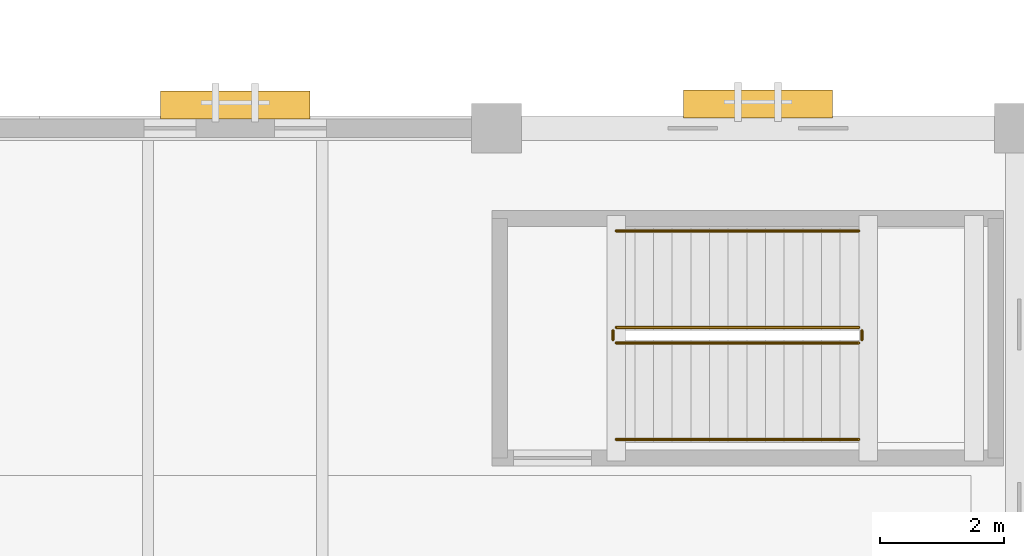
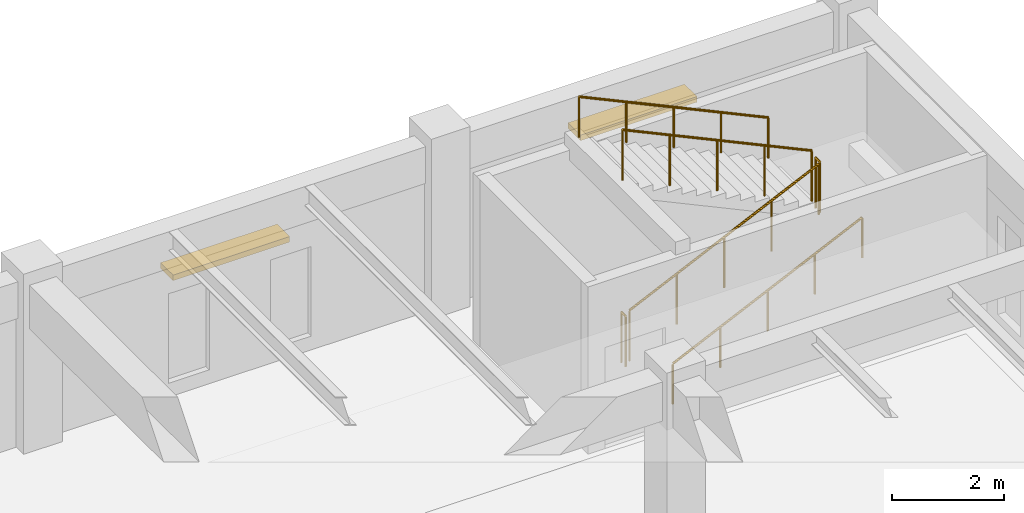
# One storey, part 135 of 135: 6 railings, 2 shading devices.
"""IFC4 building model written with IfcOpenShell, lengths in metres."""

from ifc_helpers import new_model, si_unit, direction, frame, origin, origin_2d, place, context, subcontext, project, spatial, rectangle, circle, extrude, material, type_object, element, save


model = new_model("IFC4")

# Units and contexts
model_context = context("Model", 3, precision=1e-05, world=origin(), true_north=direction((0.0, 1.0)))
body_context = subcontext(model_context, "Body", "Model", "MODEL_VIEW")
ifc_project = project(units=[si_unit("LENGTHUNIT", "METRE"), si_unit("AREAUNIT", "SQUARE_METRE"), si_unit("VOLUMEUNIT", "CUBIC_METRE"), si_unit("PLANEANGLEUNIT", "RADIAN"), si_unit("MASSUNIT", "GRAM", prefix="KILO")], contexts=[model_context])

# Site, building, storey
site_placement = place(None, origin())
site = spatial("IfcSite", under=ifc_project, at=site_placement, CompositionType="ELEMENT")
building_placement = place(site_placement, origin())
building = spatial("IfcBuilding", under=site, at=building_placement, Name="Cumbredor Promenade Congress Hotel", CompositionType="ELEMENT")
storey_placement = place(building_placement, origin())
storey = spatial("IfcBuildingStorey", under=building, at=storey_placement, Name="L00", CompositionType="ELEMENT", Elevation=0.0)

# Shading devices
ifc_material_1 = material(Name="Thermally broken anodized aluminium", Category="aluminium")
shading_device_type = type_object("IfcShadingDeviceType", Name="Horizontal Bronze Jalousie Louvre JAL-01", PredefinedType="JALOUSIE", material=ifc_material_1)
for number, where, z_axis, x_axis, name in (
    (1, (163.800048828125, 117.97509765625, 2.260009765625), (0.0, 0.0, 1.0), (1.0, 0.0, 0.0), "L00 Horizontal Bronze Jalousie 020"),
    (2, (172.199951171875, 117.987548828125, 2.35986328125), (0.0, 0.0, 1.0), (1.0, 0.0, 0.0), "L00 Horizontal Bronze Jalousie 021"),
):
    element("IfcShadingDevice", number, at=place(storey_placement, frame(where, z_axis=z_axis, x_axis=x_axis)), inside=storey, type_object=shading_device_type, Name=name, PredefinedType="JALOUSIE", context=body_context, shape_type="SweptSolid", body=[
        extrude(rectangle(XDim=2.39990234375, YDim=0.449951171875, at=origin_2d()), origin(), (0.0, 0.0, 1.0), 0.1201171875),
    ])

# Railings
ifc_material_2 = material(Name="Brushed stainless steel", Category="steel")
railing_type_1 = type_object("IfcRailingType", Name="Interior Void & Stair Guardrail GR-1100", PredefinedType="GUARDRAIL", material=ifc_material_2)
railing_1_placement = place(storey_placement, frame((169.919921875, 114.14990234375, 0.139892578125)))
element("IfcRailing", 3, at=railing_1_placement, inside=storey, type_object=railing_type_1, Name="L00 ST-16 stair guard 1", PredefinedType="GUARDRAIL", context=body_context, shape_type="SweptSolid", body=[
    extrude(circle(Radius=0.02392578125, at=origin_2d()), frame((0.0, 0.0, 1.09619140625), z_axis=(0.906183139995, 0.0, 0.422885465331), x_axis=(0.0, 1.0, 0.0)), (0.0, 0.0, 1.0), 4.303955078125),
    extrude(circle(Radius=0.02099609375, at=origin_2d()), origin(), (0.0, 0.0, 1.0), 1.072021484375),
    extrude(circle(Radius=0.02099609375, at=origin_2d()), frame((0.97509765625, 0.0, 0.455078125)), (0.0, 0.0, 1.0), 1.072021484375),
    extrude(circle(Radius=0.02099609375, at=origin_2d()), frame((1.9501953125, 0.0, 0.91015625)), (0.0, 0.0, 1.0), 1.072021484375),
    extrude(circle(Radius=0.02099609375, at=origin_2d()), frame((2.925048828125, 0.0, 1.364990234375)), (0.0, 0.0, 1.0), 1.072021484375),
    extrude(circle(Radius=0.02099609375, at=origin_2d()), frame((3.900146484375, 0.0, 1.820068359375)), (0.0, 0.0, 1.0), 1.072021484375),
])
railing_2_placement = place(storey_placement, frame((173.8701171875, 114.199951171875, 1.9599609375)))
element("IfcRailing", 4, at=railing_2_placement, inside=storey, type_object=railing_type_1, Name="L00 ST-16 stair guard 2", PredefinedType="GUARDRAIL", context=body_context, shape_type="SweptSolid", body=[
    extrude(circle(Radius=0.02392578125, at=origin_2d()), frame((0.0, 0.0, 1.09619140625), z_axis=(0.0, 1.0, 0.0), x_axis=(-1.0, 0.0, 0.0)), (0.0, 0.0, 1.0), 0.150146484375),
    extrude(circle(Radius=0.02099609375, at=origin_2d()), origin(), (0.0, 0.0, 1.0), 1.072021484375),
    extrude(circle(Radius=0.02099609375, at=origin_2d()), frame((0.0, 0.150146484375, 0.0)), (0.0, 0.0, 1.0), 1.072021484375),
])
railing_3_placement = place(storey_placement, frame((173.820068359375, 114.39990234375, 2.10009765625)))
element("IfcRailing", 5, at=railing_3_placement, inside=storey, type_object=railing_type_1, Name="L00 ST-16 stair guard 3", PredefinedType="GUARDRAIL", context=body_context, shape_type="SweptSolid", body=[
    extrude(circle(Radius=0.02392578125, at=origin_2d()), frame((0.0, 0.0, 1.09619140625), z_axis=(-0.906204877032, 0.0, 0.422838882842), x_axis=(0.0, -1.0, 0.0)), (0.0, 0.0, 1.0), 4.3037109375),
    extrude(circle(Radius=0.02099609375, at=origin_2d()), origin(), (0.0, 0.0, 1.0), 1.072021484375),
    extrude(circle(Radius=0.02099609375, at=origin_2d()), frame((-0.97509765625, 0.0, 0.455078125)), (0.0, 0.0, 1.0), 1.072021484375),
    extrude(circle(Radius=0.02099609375, at=origin_2d()), frame((-1.9501953125, 0.0, 0.909912109375)), (0.0, 0.0, 1.0), 1.072021484375),
    extrude(circle(Radius=0.02099609375, at=origin_2d()), frame((-2.925048828125, 0.0, 1.36474609375)), (0.0, 0.0, 1.0), 1.072021484375),
    extrude(circle(Radius=0.02099609375, at=origin_2d()), frame((-3.900146484375, 0.0, 1.81982421875)), (0.0, 0.0, 1.0), 1.072021484375),
])
railing_4_placement = place(storey_placement, frame((169.8701171875, 114.199951171875, 0.0)))
element("IfcRailing", 6, at=railing_4_placement, inside=storey, type_object=railing_type_1, Name="L00 ST-16 stair guard 4", PredefinedType="GUARDRAIL", context=body_context, shape_type="SweptSolid", body=[
    extrude(circle(Radius=0.02392578125, at=origin_2d()), frame((0.0, 0.0, 1.09619140625), z_axis=(0.0, 1.0, 0.0), x_axis=(-1.0, 0.0, 0.0)), (0.0, 0.0, 1.0), 0.150146484375),
    extrude(circle(Radius=0.02099609375, at=origin_2d()), origin(), (0.0, 0.0, 1.0), 1.072021484375),
    extrude(circle(Radius=0.02099609375, at=origin_2d()), frame((0.0, 0.150146484375, 0.0)), (0.0, 0.0, 1.0), 1.072021484375),
])
railing_type_2 = type_object("IfcRailingType", Name="Stair Pitch Handrail HR-900", PredefinedType="HANDRAIL", material=ifc_material_2)
railing_5_placement = place(storey_placement, frame((169.919921875, 112.60009765625, 0.139892578125)))
element("IfcRailing", 7, at=railing_5_placement, inside=storey, type_object=railing_type_2, Name="L00 ST-16 stair handrail 1", PredefinedType="HANDRAIL", context=body_context, shape_type="SweptSolid", body=[
    extrude(circle(Radius=0.02392578125, at=origin_2d()), frame((0.0, 0.0, 0.8759765625), z_axis=(0.906183139995, 0.0, 0.422885465331), x_axis=(0.0, 1.0, 0.0)), (0.0, 0.0, 1.0), 4.303955078125),
    extrude(circle(Radius=0.02099609375, at=origin_2d()), origin(), (0.0, 0.0, 1.0), 0.851806640625),
    extrude(circle(Radius=0.02099609375, at=origin_2d()), frame((0.97509765625, 0.0, 0.455078125)), (0.0, 0.0, 1.0), 0.851806640625),
    extrude(circle(Radius=0.02099609375, at=origin_2d()), frame((1.9501953125, 0.0, 0.91015625)), (0.0, 0.0, 1.0), 0.851806640625),
    extrude(circle(Radius=0.02099609375, at=origin_2d()), frame((2.925048828125, 0.0, 1.364990234375)), (0.0, 0.0, 1.0), 0.851806640625),
    extrude(circle(Radius=0.02099609375, at=origin_2d()), frame((3.900146484375, 0.0, 1.820068359375)), (0.0, 0.0, 1.0), 0.851806640625),
])
railing_6_placement = place(storey_placement, frame((173.820068359375, 115.949951171875, 2.10009765625)))
element("IfcRailing", 8, at=railing_6_placement, inside=storey, type_object=railing_type_2, Name="L00 ST-16 stair handrail 2", PredefinedType="HANDRAIL", context=body_context, shape_type="SweptSolid", body=[
    extrude(circle(Radius=0.02392578125, at=origin_2d()), frame((0.0, 0.0, 0.8759765625), z_axis=(-0.906204877032, 0.0, 0.422838882842), x_axis=(0.0, -1.0, 0.0)), (0.0, 0.0, 1.0), 4.3037109375),
    extrude(circle(Radius=0.02099609375, at=origin_2d()), origin(), (0.0, 0.0, 1.0), 0.851806640625),
    extrude(circle(Radius=0.02099609375, at=origin_2d()), frame((-0.97509765625, 0.0, 0.455078125)), (0.0, 0.0, 1.0), 0.851806640625),
    extrude(circle(Radius=0.02099609375, at=origin_2d()), frame((-1.9501953125, 0.0, 0.909912109375)), (0.0, 0.0, 1.0), 0.851806640625),
    extrude(circle(Radius=0.02099609375, at=origin_2d()), frame((-2.925048828125, 0.0, 1.36474609375)), (0.0, 0.0, 1.0), 0.851806640625),
    extrude(circle(Radius=0.02099609375, at=origin_2d()), frame((-3.900146484375, 0.0, 1.81982421875)), (0.0, 0.0, 1.0), 0.851806640625),
])

save(model, "model.ifc")
